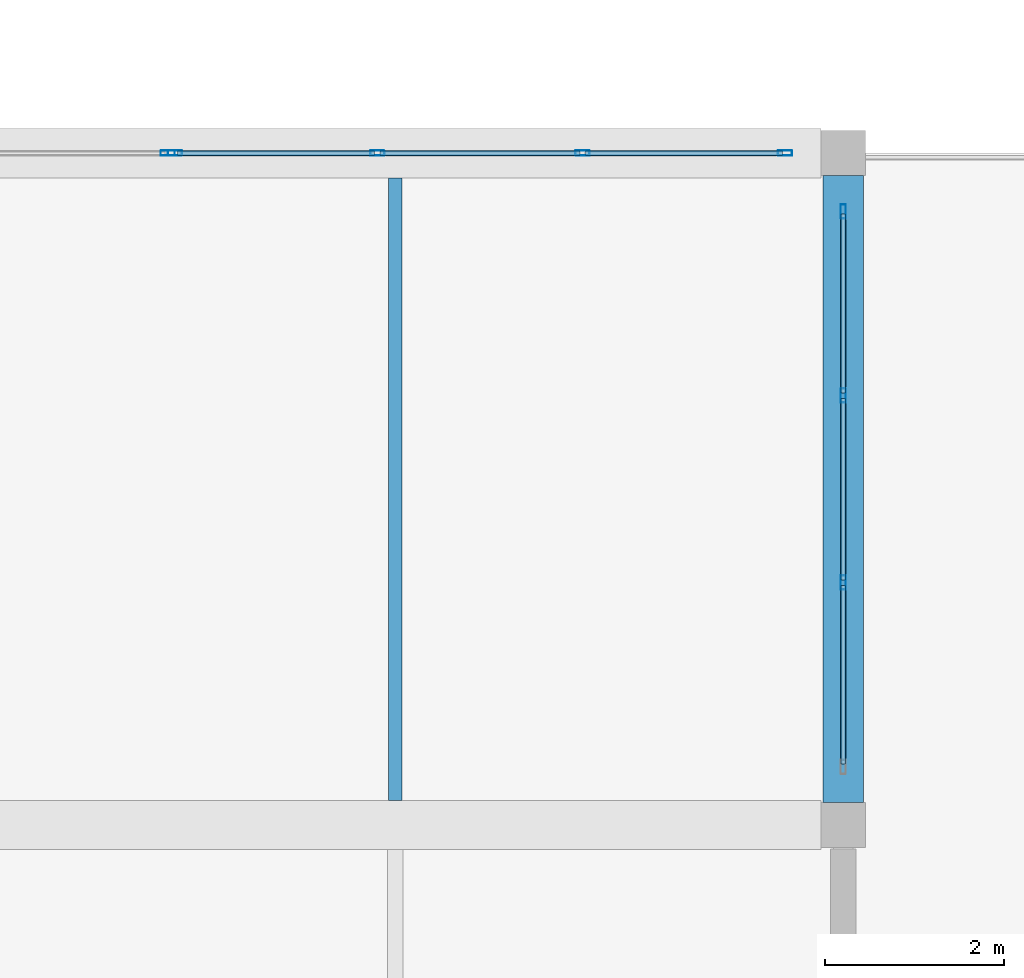
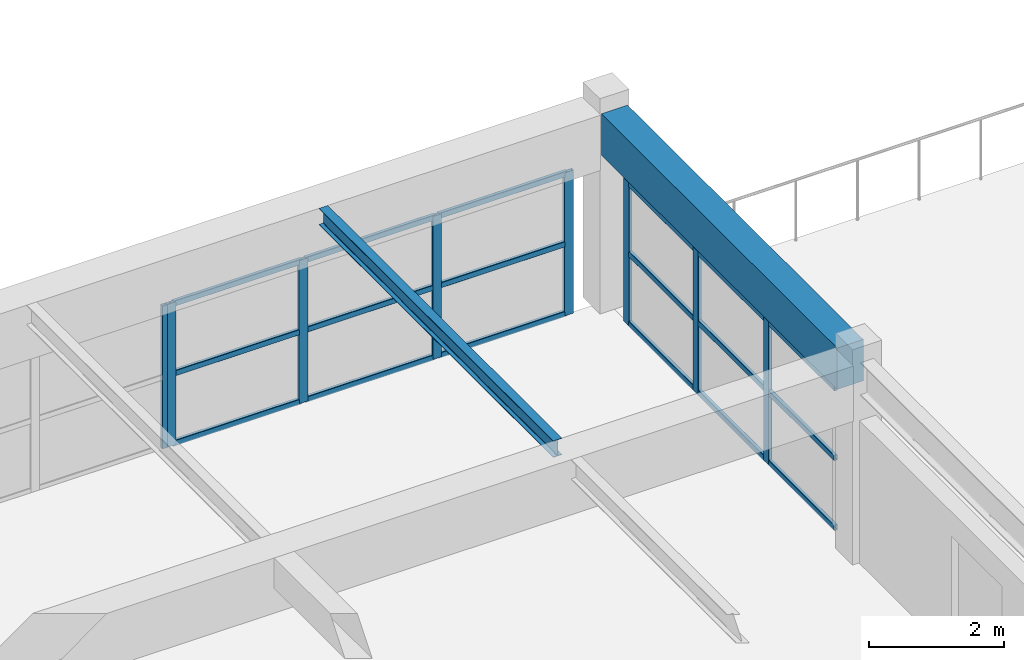
# One storey, part 21 of 82: 26 members, 2 beams, 3 elements without a shape of their own.
"""IFC4 building model written with IfcOpenShell, lengths in metres."""

from ifc_helpers import new_model, si_unit, direction, frame, origin, origin_2d, place, context, subcontext, project, spatial, rectangle, hollow_rectangle, i_section, extrude, material, material_profile, profile_set, type_object, element, aggregate, save


model = new_model("IFC4")

# Units and contexts
model_context = context("Model", 3, precision=1e-05, world=origin(), true_north=direction((0.0, 1.0)))
body_context = subcontext(model_context, "Body", "Model", "MODEL_VIEW")
ifc_project = project(units=[si_unit("LENGTHUNIT", "METRE"), si_unit("AREAUNIT", "SQUARE_METRE"), si_unit("VOLUMEUNIT", "CUBIC_METRE"), si_unit("PLANEANGLEUNIT", "RADIAN"), si_unit("MASSUNIT", "GRAM", prefix="KILO")], contexts=[model_context])

# Site, building, storey
site_placement = place(None, origin())
site = spatial("IfcSite", under=ifc_project, at=site_placement, CompositionType="ELEMENT")
building_placement = place(site_placement, origin())
building = spatial("IfcBuilding", under=site, at=building_placement, Name="Qasida Concert Hall", CompositionType="ELEMENT")
storey_placement = place(building_placement, frame((0.0, 0.0, 17.10009765625)))
storey = spatial("IfcBuildingStorey", under=building, at=storey_placement, Name="L04", CompositionType="ELEMENT", Elevation=17.10009765625)

# Beams
ifc_material_1 = material(Name="Steel S355J2", Category="steel")
ifc_material_profile_1 = material_profile(ifc_material_1, i_section(OverallWidth=0.14990234375, OverallDepth=0.300048828125, WebThickness=0.007080078125, FlangeThickness=0.0107421875, FilletRadius=0.014892578125, at=origin_2d()), Name="IPE 300")
ifc_profile_set_1 = profile_set([ifc_material_profile_1], Name="Steel S355J2")
beam_type_1 = type_object("IfcBeamType", Name="BM-J4", PredefinedType="JOIST", material=ifc_profile_set_1)
beam_1_placement = place(storey_placement, frame((25.0, 45.27490234375, 3.469970703125), z_axis=(0.0, 1.0, 0.0), x_axis=(-1.0, 0.0, 0.0)))
element("IfcBeam", 1, at=beam_1_placement, inside=storey, type_object=beam_type_1, Name="L04 secondary joist 1930", PredefinedType="JOIST", context=body_context, shape_type="SweptSolid", body=[
    extrude(i_section(OverallWidth=0.14990234375, OverallDepth=0.300048828125, WebThickness=0.007080078125, FlangeThickness=0.0107421875, FilletRadius=0.014892578125, at=origin_2d()), origin(), (0.0, 0.0, 1.0), 6.9501953125),
])
ifc_material_2 = material(Name="Concrete C40/50", Category="concrete")
ifc_material_profile_2 = material_profile(ifc_material_2, rectangle(XDim=0.449951171875, YDim=0.75, at=origin_2d()), Name="RC 450x750")
ifc_profile_set_2 = profile_set([ifc_material_profile_2], Name="Concrete C40/50")
beam_type_2 = type_object("IfcBeamType", Name="BM-SP4", PredefinedType="SPANDREL", material=ifc_profile_set_2)
beam_2_placement = place(storey_placement, frame((30.0, 45.25, 3.244873046875), z_axis=(0.0, 1.0, 0.0), x_axis=(-1.0, 0.0, 0.0)))
element("IfcBeam", 2, at=beam_2_placement, inside=storey, type_object=beam_type_2, Name="L04 girder 1914", PredefinedType="SPANDREL", context=body_context, shape_type="SweptSolid", body=[
    extrude(rectangle(XDim=0.449951171875, YDim=0.75, at=origin_2d()), origin(), (0.0, 0.0, 1.0), 7.0),
])

# Curtain wall, member
ifc_material_3 = material(Name="Architectural bronze-anodized aluminium and low-E glass", Category="aluminium")
curtain_wall_type = type_object("IfcCurtainWallType", Name="CW-12", PredefinedType="NOTDEFINED", material=ifc_material_3)
curtain_wall_1_placement = place(storey_placement, origin())
curtain_wall_1 = element("IfcCurtainWall", 3, at=curtain_wall_1_placement, inside=storey, type_object=curtain_wall_type, Name="L04 curtain wall CW-12 0134", PredefinedType="NOTDEFINED")
ifc_material_4 = material(Name="Architectural bronze-anodized aluminium EN AW-6063", Category="aluminium")
ifc_material_profile_3 = material_profile(ifc_material_4, hollow_rectangle(XDim=0.06005859375, YDim=0.159912109375, WallThickness=0.00390625, InnerFilletRadius=0.00390625, OuterFilletRadius=0.008056640625, at=origin_2d()), Name="CWM 160x60x4")
ifc_profile_set_3 = profile_set([ifc_material_profile_3], Name="Architectural bronze-anodized aluminium EN AW-6063")
member_type_1 = type_object("IfcMemberType", Name="MB-CWM-3", PredefinedType="MULLION", material=ifc_profile_set_3)
member_1_placement = place(storey_placement, frame((22.4599609375, 52.5, 0.0), z_axis=(0.0, 0.0, 1.0), x_axis=(0.0, 1.0, 0.0)))
member_1 = element("IfcMember", 4, at=member_1_placement, type_object=member_type_1, Name="CW-12 mullion 4", PredefinedType="MULLION", context=body_context, shape_type="SweptSolid", body=[
    extrude(hollow_rectangle(XDim=0.06005859375, YDim=0.159912109375, WallThickness=0.00390625, InnerFilletRadius=0.00390625, OuterFilletRadius=0.008056640625, at=origin_2d()), origin(), (0.0, 0.0, 1.0), 2.58984375),
])
aggregate(curtain_wall_1, [member_1])

# Curtain wall, members
curtain_wall_2_placement = place(storey_placement, origin())
curtain_wall_2 = element("IfcCurtainWall", 5, at=curtain_wall_2_placement, inside=storey, type_object=curtain_wall_type, Name="L04 curtain wall CW-12 0135", PredefinedType="NOTDEFINED")
member_2_placement = place(storey_placement, frame((22.5400390625, 52.5, 0.0), z_axis=(0.0, 0.0, 1.0), x_axis=(0.0, 1.0, 0.0)))
member_2 = element("IfcMember", 6, at=member_2_placement, type_object=member_type_1, Name="CW-12 mullion 1", PredefinedType="MULLION", context=body_context, shape_type="SweptSolid", body=[
    extrude(hollow_rectangle(XDim=0.06005859375, YDim=0.159912109375, WallThickness=0.00390625, InnerFilletRadius=0.00390625, OuterFilletRadius=0.008056640625, at=origin_2d()), origin(), (0.0, 0.0, 1.0), 2.58984375),
])
member_3_placement = place(storey_placement, frame((24.800048828125, 52.5, 0.0), z_axis=(0.0, 0.0, 1.0), x_axis=(0.0, 1.0, 0.0)))
member_3 = element("IfcMember", 7, at=member_3_placement, type_object=member_type_1, Name="CW-12 mullion 2", PredefinedType="MULLION", context=body_context, shape_type="SweptSolid", body=[
    extrude(hollow_rectangle(XDim=0.06005859375, YDim=0.159912109375, WallThickness=0.00390625, InnerFilletRadius=0.00390625, OuterFilletRadius=0.008056640625, at=origin_2d()), origin(), (0.0, 0.0, 1.0), 2.58984375),
])
member_4_placement = place(storey_placement, frame((27.090087890625, 52.5, 0.0), z_axis=(0.0, 0.0, 1.0), x_axis=(0.0, 1.0, 0.0)))
member_4 = element("IfcMember", 8, at=member_4_placement, type_object=member_type_1, Name="CW-12 mullion 3", PredefinedType="MULLION", context=body_context, shape_type="SweptSolid", body=[
    extrude(hollow_rectangle(XDim=0.06005859375, YDim=0.159912109375, WallThickness=0.00390625, InnerFilletRadius=0.00390625, OuterFilletRadius=0.008056640625, at=origin_2d()), origin(), (0.0, 0.0, 1.0), 2.58984375),
])
member_5_placement = place(storey_placement, frame((29.35009765625, 52.5, 0.0), z_axis=(0.0, 0.0, 1.0), x_axis=(0.0, 1.0, 0.0)))
member_5 = element("IfcMember", 9, at=member_5_placement, type_object=member_type_1, Name="CW-12 mullion 4", PredefinedType="MULLION", context=body_context, shape_type="SweptSolid", body=[
    extrude(hollow_rectangle(XDim=0.06005859375, YDim=0.159912109375, WallThickness=0.00390625, InnerFilletRadius=0.00390625, OuterFilletRadius=0.008056640625, at=origin_2d()), origin(), (0.0, 0.0, 1.0), 2.58984375),
])

curtain_wall_3_placement = place(storey_placement, origin())
curtain_wall_3 = element("IfcCurtainWall", 10, at=curtain_wall_3_placement, inside=storey, type_object=curtain_wall_type, Name="L04 curtain wall CW-12 0138", PredefinedType="NOTDEFINED")
member_6_placement = place(storey_placement, frame((30.0, 47.706787109375, 0.0), z_axis=(0.0, 0.0, 1.0), x_axis=(-1.0, 0.0, 0.0)))
member_6 = element("IfcMember", 11, at=member_6_placement, type_object=member_type_1, Name="CW-12 mullion 2", PredefinedType="MULLION", context=body_context, shape_type="SweptSolid", body=[
    extrude(hollow_rectangle(XDim=0.06005859375, YDim=0.159912109375, WallThickness=0.00390625, InnerFilletRadius=0.00390625, OuterFilletRadius=0.008056640625, at=origin_2d()), origin(), (0.0, 0.0, 1.0), 2.58984375),
])
member_7_placement = place(storey_placement, frame((30.0, 49.793212890625, 0.0), z_axis=(0.0, 0.0, 1.0), x_axis=(-1.0, 0.0, 0.0)))
member_7 = element("IfcMember", 12, at=member_7_placement, type_object=member_type_1, Name="CW-12 mullion 3", PredefinedType="MULLION", context=body_context, shape_type="SweptSolid", body=[
    extrude(hollow_rectangle(XDim=0.06005859375, YDim=0.159912109375, WallThickness=0.00390625, InnerFilletRadius=0.00390625, OuterFilletRadius=0.008056640625, at=origin_2d()), origin(), (0.0, 0.0, 1.0), 2.58984375),
])
member_8_placement = place(storey_placement, frame((30.0, 51.85009765625, 0.0), z_axis=(0.0, 0.0, 1.0), x_axis=(-1.0, 0.0, 0.0)))
member_8 = element("IfcMember", 13, at=member_8_placement, type_object=member_type_1, Name="CW-12 mullion 4", PredefinedType="MULLION", context=body_context, shape_type="SweptSolid", body=[
    extrude(hollow_rectangle(XDim=0.06005859375, YDim=0.159912109375, WallThickness=0.00390625, InnerFilletRadius=0.00390625, OuterFilletRadius=0.008056640625, at=origin_2d()), origin(), (0.0, 0.0, 1.0), 2.58984375),
])

# Member
ifc_material_profile_4 = material_profile(ifc_material_4, hollow_rectangle(XDim=0.06005859375, YDim=0.10009765625, WallThickness=0.00341796875, InnerFilletRadius=0.00341796875, OuterFilletRadius=0.007080078125, at=origin_2d()), Name="CWT 100x60x3.5")
ifc_profile_set_4 = profile_set([ifc_material_profile_4], Name="Architectural bronze-anodized aluminium EN AW-6063")
member_type_2 = type_object("IfcMemberType", Name="MB-CWT-3", PredefinedType="USERDEFINED", material=ifc_profile_set_4)
member_9_placement = place(storey_placement, frame((22.570068359375, 52.5, 0.02978515625), z_axis=(1.0, 0.0, 0.0), x_axis=(0.0, 1.0, 0.0)))
member_9 = element("IfcMember", 14, at=member_9_placement, type_object=member_type_2, Name="CW-12 transom 1.1", ObjectType="TRANSOM", PredefinedType="USERDEFINED", context=body_context, shape_type="SweptSolid", body=[
    extrude(hollow_rectangle(XDim=0.06005859375, YDim=0.10009765625, WallThickness=0.00341796875, InnerFilletRadius=0.00341796875, OuterFilletRadius=0.007080078125, at=origin_2d()), origin(), (0.0, 0.0, 1.0), 2.199951171875),
])

member_10_placement = place(storey_placement, frame((22.570068359375, 52.5, 1.294921875), z_axis=(1.0, 0.0, 0.0), x_axis=(0.0, 1.0, 0.0)))
member_10 = element("IfcMember", 15, at=member_10_placement, type_object=member_type_2, Name="CW-12 transom 1.2", ObjectType="TRANSOM", PredefinedType="USERDEFINED", context=body_context, shape_type="SweptSolid", body=[
    extrude(hollow_rectangle(XDim=0.06005859375, YDim=0.10009765625, WallThickness=0.00341796875, InnerFilletRadius=0.00341796875, OuterFilletRadius=0.007080078125, at=origin_2d()), origin(), (0.0, 0.0, 1.0), 2.199951171875),
])

member_11_placement = place(storey_placement, frame((22.570068359375, 52.5, 2.559814453125), z_axis=(1.0, 0.0, 0.0), x_axis=(0.0, 1.0, 0.0)))
member_11 = element("IfcMember", 16, at=member_11_placement, type_object=member_type_2, Name="CW-12 transom 1.3", ObjectType="TRANSOM", PredefinedType="USERDEFINED", context=body_context, shape_type="SweptSolid", body=[
    extrude(hollow_rectangle(XDim=0.06005859375, YDim=0.10009765625, WallThickness=0.00341796875, InnerFilletRadius=0.00341796875, OuterFilletRadius=0.007080078125, at=origin_2d()), origin(), (0.0, 0.0, 1.0), 2.199951171875),
])

member_12_placement = place(storey_placement, frame((24.830078125, 52.5, 0.02978515625), z_axis=(1.0, 0.0, 0.0), x_axis=(0.0, 1.0, 0.0)))
member_12 = element("IfcMember", 17, at=member_12_placement, type_object=member_type_2, Name="CW-12 transom 2.1", ObjectType="TRANSOM", PredefinedType="USERDEFINED", context=body_context, shape_type="SweptSolid", body=[
    extrude(hollow_rectangle(XDim=0.06005859375, YDim=0.10009765625, WallThickness=0.00341796875, InnerFilletRadius=0.00341796875, OuterFilletRadius=0.007080078125, at=origin_2d()), origin(), (0.0, 0.0, 1.0), 2.22998046875),
])

member_13_placement = place(storey_placement, frame((24.830078125, 52.5, 1.294921875), z_axis=(1.0, 0.0, 0.0), x_axis=(0.0, 1.0, 0.0)))
member_13 = element("IfcMember", 18, at=member_13_placement, type_object=member_type_2, Name="CW-12 transom 2.2", ObjectType="TRANSOM", PredefinedType="USERDEFINED", context=body_context, shape_type="SweptSolid", body=[
    extrude(hollow_rectangle(XDim=0.06005859375, YDim=0.10009765625, WallThickness=0.00341796875, InnerFilletRadius=0.00341796875, OuterFilletRadius=0.007080078125, at=origin_2d()), origin(), (0.0, 0.0, 1.0), 2.22998046875),
])

member_14_placement = place(storey_placement, frame((24.830078125, 52.5, 2.559814453125), z_axis=(1.0, 0.0, 0.0), x_axis=(0.0, 1.0, 0.0)))
member_14 = element("IfcMember", 19, at=member_14_placement, type_object=member_type_2, Name="CW-12 transom 2.3", ObjectType="TRANSOM", PredefinedType="USERDEFINED", context=body_context, shape_type="SweptSolid", body=[
    extrude(hollow_rectangle(XDim=0.06005859375, YDim=0.10009765625, WallThickness=0.00341796875, InnerFilletRadius=0.00341796875, OuterFilletRadius=0.007080078125, at=origin_2d()), origin(), (0.0, 0.0, 1.0), 2.22998046875),
])

member_15_placement = place(storey_placement, frame((27.1201171875, 52.5, 0.02978515625), z_axis=(1.0, 0.0, 0.0), x_axis=(0.0, 1.0, 0.0)))
member_15 = element("IfcMember", 20, at=member_15_placement, type_object=member_type_2, Name="CW-12 transom 3.1", ObjectType="TRANSOM", PredefinedType="USERDEFINED", context=body_context, shape_type="SweptSolid", body=[
    extrude(hollow_rectangle(XDim=0.06005859375, YDim=0.10009765625, WallThickness=0.00341796875, InnerFilletRadius=0.00341796875, OuterFilletRadius=0.007080078125, at=origin_2d()), origin(), (0.0, 0.0, 1.0), 2.199951171875),
])

member_16_placement = place(storey_placement, frame((27.1201171875, 52.5, 1.294921875), z_axis=(1.0, 0.0, 0.0), x_axis=(0.0, 1.0, 0.0)))
member_16 = element("IfcMember", 21, at=member_16_placement, type_object=member_type_2, Name="CW-12 transom 3.2", ObjectType="TRANSOM", PredefinedType="USERDEFINED", context=body_context, shape_type="SweptSolid", body=[
    extrude(hollow_rectangle(XDim=0.06005859375, YDim=0.10009765625, WallThickness=0.00341796875, InnerFilletRadius=0.00341796875, OuterFilletRadius=0.007080078125, at=origin_2d()), origin(), (0.0, 0.0, 1.0), 2.199951171875),
])

member_17_placement = place(storey_placement, frame((27.1201171875, 52.5, 2.559814453125), z_axis=(1.0, 0.0, 0.0), x_axis=(0.0, 1.0, 0.0)))
member_17 = element("IfcMember", 22, at=member_17_placement, type_object=member_type_2, Name="CW-12 transom 3.3", ObjectType="TRANSOM", PredefinedType="USERDEFINED", context=body_context, shape_type="SweptSolid", body=[
    extrude(hollow_rectangle(XDim=0.06005859375, YDim=0.10009765625, WallThickness=0.00341796875, InnerFilletRadius=0.00341796875, OuterFilletRadius=0.007080078125, at=origin_2d()), origin(), (0.0, 0.0, 1.0), 2.199951171875),
])

aggregate(curtain_wall_2, [member_2, member_3, member_4, member_5, member_9, member_10, member_11, member_12, member_13, member_14, member_15, member_16, member_17])

member_18_placement = place(storey_placement, frame((30.0, 45.679931640625, 0.02978515625), z_axis=(0.0, 1.0, 0.0), x_axis=(-1.0, 0.0, 0.0)))
member_18 = element("IfcMember", 23, at=member_18_placement, type_object=member_type_2, Name="CW-12 transom 1.1", ObjectType="TRANSOM", PredefinedType="USERDEFINED", context=body_context, shape_type="SweptSolid", body=[
    extrude(hollow_rectangle(XDim=0.06005859375, YDim=0.10009765625, WallThickness=0.00341796875, InnerFilletRadius=0.00341796875, OuterFilletRadius=0.007080078125, at=origin_2d()), origin(), (0.0, 0.0, 1.0), 1.996826171875),
])

member_19_placement = place(storey_placement, frame((30.0, 45.679931640625, 1.294921875), z_axis=(0.0, 1.0, 0.0), x_axis=(-1.0, 0.0, 0.0)))
member_19 = element("IfcMember", 24, at=member_19_placement, type_object=member_type_2, Name="CW-12 transom 1.2", ObjectType="TRANSOM", PredefinedType="USERDEFINED", context=body_context, shape_type="SweptSolid", body=[
    extrude(hollow_rectangle(XDim=0.06005859375, YDim=0.10009765625, WallThickness=0.00341796875, InnerFilletRadius=0.00341796875, OuterFilletRadius=0.007080078125, at=origin_2d()), origin(), (0.0, 0.0, 1.0), 1.996826171875),
])

member_20_placement = place(storey_placement, frame((30.0, 45.679931640625, 2.559814453125), z_axis=(0.0, 1.0, 0.0), x_axis=(-1.0, 0.0, 0.0)))
member_20 = element("IfcMember", 25, at=member_20_placement, type_object=member_type_2, Name="CW-12 transom 1.3", ObjectType="TRANSOM", PredefinedType="USERDEFINED", context=body_context, shape_type="SweptSolid", body=[
    extrude(hollow_rectangle(XDim=0.06005859375, YDim=0.10009765625, WallThickness=0.00341796875, InnerFilletRadius=0.00341796875, OuterFilletRadius=0.007080078125, at=origin_2d()), origin(), (0.0, 0.0, 1.0), 1.996826171875),
])

member_21_placement = place(storey_placement, frame((30.0, 47.736572265625, 0.02978515625), z_axis=(0.0, 1.0, 0.0), x_axis=(-1.0, 0.0, 0.0)))
member_21 = element("IfcMember", 26, at=member_21_placement, type_object=member_type_2, Name="CW-12 transom 2.1", ObjectType="TRANSOM", PredefinedType="USERDEFINED", context=body_context, shape_type="SweptSolid", body=[
    extrude(hollow_rectangle(XDim=0.06005859375, YDim=0.10009765625, WallThickness=0.00341796875, InnerFilletRadius=0.00341796875, OuterFilletRadius=0.007080078125, at=origin_2d()), origin(), (0.0, 0.0, 1.0), 2.02685546875),
])

member_22_placement = place(storey_placement, frame((30.0, 47.736572265625, 1.294921875), z_axis=(0.0, 1.0, 0.0), x_axis=(-1.0, 0.0, 0.0)))
member_22 = element("IfcMember", 27, at=member_22_placement, type_object=member_type_2, Name="CW-12 transom 2.2", ObjectType="TRANSOM", PredefinedType="USERDEFINED", context=body_context, shape_type="SweptSolid", body=[
    extrude(hollow_rectangle(XDim=0.06005859375, YDim=0.10009765625, WallThickness=0.00341796875, InnerFilletRadius=0.00341796875, OuterFilletRadius=0.007080078125, at=origin_2d()), origin(), (0.0, 0.0, 1.0), 2.02685546875),
])

member_23_placement = place(storey_placement, frame((30.0, 47.736572265625, 2.559814453125), z_axis=(0.0, 1.0, 0.0), x_axis=(-1.0, 0.0, 0.0)))
member_23 = element("IfcMember", 28, at=member_23_placement, type_object=member_type_2, Name="CW-12 transom 2.3", ObjectType="TRANSOM", PredefinedType="USERDEFINED", context=body_context, shape_type="SweptSolid", body=[
    extrude(hollow_rectangle(XDim=0.06005859375, YDim=0.10009765625, WallThickness=0.00341796875, InnerFilletRadius=0.00341796875, OuterFilletRadius=0.007080078125, at=origin_2d()), origin(), (0.0, 0.0, 1.0), 2.02685546875),
])

member_24_placement = place(storey_placement, frame((30.0, 49.8232421875, 0.02978515625), z_axis=(0.0, 1.0, 0.0), x_axis=(-1.0, 0.0, 0.0)))
member_24 = element("IfcMember", 29, at=member_24_placement, type_object=member_type_2, Name="CW-12 transom 3.1", ObjectType="TRANSOM", PredefinedType="USERDEFINED", context=body_context, shape_type="SweptSolid", body=[
    extrude(hollow_rectangle(XDim=0.06005859375, YDim=0.10009765625, WallThickness=0.00341796875, InnerFilletRadius=0.00341796875, OuterFilletRadius=0.007080078125, at=origin_2d()), origin(), (0.0, 0.0, 1.0), 1.996826171875),
])

member_25_placement = place(storey_placement, frame((30.0, 49.8232421875, 1.294921875), z_axis=(0.0, 1.0, 0.0), x_axis=(-1.0, 0.0, 0.0)))
member_25 = element("IfcMember", 30, at=member_25_placement, type_object=member_type_2, Name="CW-12 transom 3.2", ObjectType="TRANSOM", PredefinedType="USERDEFINED", context=body_context, shape_type="SweptSolid", body=[
    extrude(hollow_rectangle(XDim=0.06005859375, YDim=0.10009765625, WallThickness=0.00341796875, InnerFilletRadius=0.00341796875, OuterFilletRadius=0.007080078125, at=origin_2d()), origin(), (0.0, 0.0, 1.0), 1.996826171875),
])

member_26_placement = place(storey_placement, frame((30.0, 49.8232421875, 2.559814453125), z_axis=(0.0, 1.0, 0.0), x_axis=(-1.0, 0.0, 0.0)))
member_26 = element("IfcMember", 31, at=member_26_placement, type_object=member_type_2, Name="CW-12 transom 3.3", ObjectType="TRANSOM", PredefinedType="USERDEFINED", context=body_context, shape_type="SweptSolid", body=[
    extrude(hollow_rectangle(XDim=0.06005859375, YDim=0.10009765625, WallThickness=0.00341796875, InnerFilletRadius=0.00341796875, OuterFilletRadius=0.007080078125, at=origin_2d()), origin(), (0.0, 0.0, 1.0), 1.996826171875),
])

aggregate(curtain_wall_3, [member_6, member_7, member_8, member_18, member_19, member_20, member_21, member_22, member_23, member_24, member_25, member_26])

save(model, "model.ifc")
